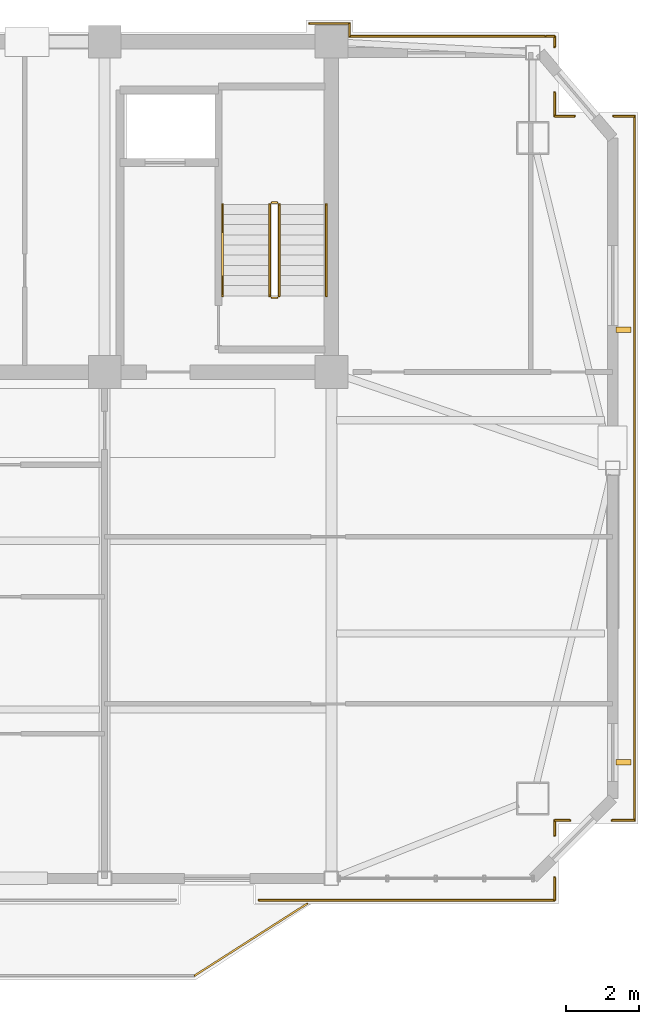
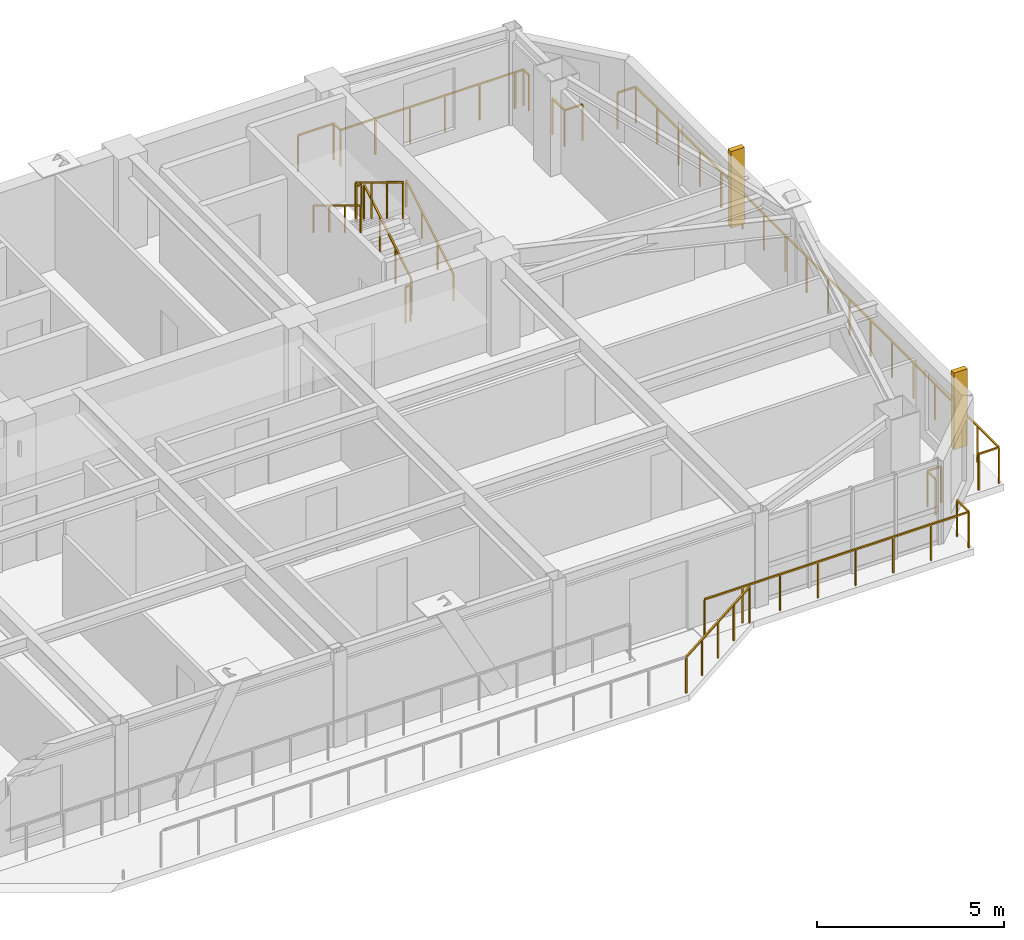
# One storey, part 13 of 13: 21 railings, 2 shading devices.
"""IFC4 building model written with IfcOpenShell, lengths in metres."""

from ifc_helpers import new_model, si_unit, direction, frame, origin, origin_2d, place, context, subcontext, project, spatial, rectangle, extrude, source, transform, mapped, material, type_object, element, save


model = new_model("IFC4")

# Units and contexts
model_context = context("Model", 3, precision=1e-05, world=origin(), true_north=direction((0.0, 1.0)))
body_context = subcontext(model_context, "Body", "Model", "MODEL_VIEW")
ifc_project = project(units=[si_unit("LENGTHUNIT", "METRE"), si_unit("AREAUNIT", "SQUARE_METRE"), si_unit("VOLUMEUNIT", "CUBIC_METRE"), si_unit("PLANEANGLEUNIT", "RADIAN"), si_unit("MASSUNIT", "GRAM", prefix="KILO")], contexts=[model_context])

# Site, building, storey
site_placement = place(None, origin())
site = spatial("IfcSite", under=ifc_project, at=site_placement, CompositionType="ELEMENT")
building_placement = place(site_placement, origin())
building = spatial("IfcBuilding", under=site, at=building_placement, Name="Giltprow Tower", CompositionType="ELEMENT")
storey_placement = place(building_placement, frame((0.0, 0.0, 349.300048828125)))
storey = spatial("IfcBuildingStorey", under=building, at=storey_placement, Name="L91", CompositionType="ELEMENT", Elevation=349.300048828125)

# Railings
ifc_material = material(Name="Anodized bronze", Category="metal")
railing_type_1 = type_object("IfcRailingType", Name="RAIL-BALC-GUARD-1200", PredefinedType="BALUSTRADE", material=ifc_material)
railing_1_placement = place(storey_placement, frame((46.780029296875, 20.820068359375, 0.0)))
element("IfcRailing", 1, at=railing_1_placement, inside=storey, type_object=railing_type_1, Name="L91 Waterfront Balcony Balustrade Seg 3", PredefinedType="BALUSTRADE", context=body_context, shape_type="SweptSolid", body=[
    extrude(rectangle(XDim=0.048095703125, YDim=0.048095703125, at=origin_2d()), frame((0.0, 0.0, 1.17578125), z_axis=(0.842755646126, 0.538296313309, 0.0), x_axis=(-0.538296313309, 0.842755646126, 0.0)), (0.0, 0.0, 1.0), 3.67822265625),
    extrude(rectangle(XDim=0.0419921875, YDim=0.0419921875, at=origin_2d()), origin(), (0.0, 0.0, 1.0), 1.15185546875),
    extrude(rectangle(XDim=0.0419921875, YDim=0.0419921875, at=origin_2d()), frame((0.77490234375, 0.4951171875, 0.0)), (0.0, 0.0, 1.0), 1.15185546875),
    extrude(rectangle(XDim=0.0419921875, YDim=0.0419921875, at=origin_2d()), frame((1.5498046875, 0.989990234375, 0.0)), (0.0, 0.0, 1.0), 1.15185546875),
    extrude(rectangle(XDim=0.0419921875, YDim=0.0419921875, at=origin_2d()), frame((2.324951171875, 1.48486328125, 0.0)), (0.0, 0.0, 1.0), 1.15185546875),
    extrude(rectangle(XDim=0.0419921875, YDim=0.0419921875, at=origin_2d()), frame((3.099853515625, 1.97998046875, 0.0)), (0.0, 0.0, 1.0), 1.15185546875),
])
railing_2_placement = place(storey_placement, frame((58.89990234375, 44.5, 0.0)))
element("IfcRailing", 2, at=railing_2_placement, inside=storey, type_object=railing_type_1, Name="L91 Corner Apron Edge Balustrade 1", PredefinedType="BALUSTRADE", context=body_context, shape_type="SweptSolid", body=[
    extrude(rectangle(XDim=0.048095703125, YDim=0.048095703125, at=origin_2d()), frame((0.0, 0.0, 1.17578125), z_axis=(0.0, -1.0, 0.0), x_axis=(1.0, 0.0, 0.0)), (0.0, 0.0, 1.0), 19.39990234375),
    extrude(rectangle(XDim=0.0419921875, YDim=0.0419921875, at=origin_2d()), origin(), (0.0, 0.0, 1.0), 1.15185546875),
    extrude(rectangle(XDim=0.0419921875, YDim=0.0419921875, at=origin_2d()), frame((0.0, -1.14111328125, 0.0)), (0.0, 0.0, 1.0), 1.15185546875),
    extrude(rectangle(XDim=0.0419921875, YDim=0.0419921875, at=origin_2d()), frame((0.0, -2.2822265625, 0.0)), (0.0, 0.0, 1.0), 1.15185546875),
    extrude(rectangle(XDim=0.0419921875, YDim=0.0419921875, at=origin_2d()), frame((0.0, -3.423583984375, 0.0)), (0.0, 0.0, 1.0), 1.15185546875),
    extrude(rectangle(XDim=0.0419921875, YDim=0.0419921875, at=origin_2d()), frame((0.0, -4.564697265625, 0.0)), (0.0, 0.0, 1.0), 1.15185546875),
    extrude(rectangle(XDim=0.0419921875, YDim=0.0419921875, at=origin_2d()), frame((0.0, -5.705810546875, 0.0)), (0.0, 0.0, 1.0), 1.15185546875),
    extrude(rectangle(XDim=0.0419921875, YDim=0.0419921875, at=origin_2d()), frame((0.0, -6.846923828125, 0.0)), (0.0, 0.0, 1.0), 1.15185546875),
    extrude(rectangle(XDim=0.0419921875, YDim=0.0419921875, at=origin_2d()), frame((0.0, -7.98828125, 0.0)), (0.0, 0.0, 1.0), 1.15185546875),
    extrude(rectangle(XDim=0.0419921875, YDim=0.0419921875, at=origin_2d()), frame((0.0, -9.12939453125, 0.0)), (0.0, 0.0, 1.0), 1.15185546875),
    extrude(rectangle(XDim=0.0419921875, YDim=0.0419921875, at=origin_2d()), frame((0.0, -10.2705078125, 0.0)), (0.0, 0.0, 1.0), 1.15185546875),
    extrude(rectangle(XDim=0.0419921875, YDim=0.0419921875, at=origin_2d()), frame((0.0, -11.41162109375, 0.0)), (0.0, 0.0, 1.0), 1.15185546875),
    extrude(rectangle(XDim=0.0419921875, YDim=0.0419921875, at=origin_2d()), frame((0.0, -12.552978515625, 0.0)), (0.0, 0.0, 1.0), 1.15185546875),
    extrude(rectangle(XDim=0.0419921875, YDim=0.0419921875, at=origin_2d()), frame((0.0, -13.694091796875, 0.0)), (0.0, 0.0, 1.0), 1.15185546875),
    extrude(rectangle(XDim=0.0419921875, YDim=0.0419921875, at=origin_2d()), frame((0.0, -14.835205078125, 0.0)), (0.0, 0.0, 1.0), 1.15185546875),
    extrude(rectangle(XDim=0.0419921875, YDim=0.0419921875, at=origin_2d()), frame((0.0, -15.976318359375, 0.0)), (0.0, 0.0, 1.0), 1.15185546875),
    extrude(rectangle(XDim=0.0419921875, YDim=0.0419921875, at=origin_2d()), frame((0.0, -17.11767578125, 0.0)), (0.0, 0.0, 1.0), 1.15185546875),
    extrude(rectangle(XDim=0.0419921875, YDim=0.0419921875, at=origin_2d()), frame((0.0, -18.2587890625, 0.0)), (0.0, 0.0, 1.0), 1.15185546875),
    extrude(rectangle(XDim=0.0419921875, YDim=0.0419921875, at=origin_2d()), frame((0.0, -19.39990234375, 0.0)), (0.0, 0.0, 1.0), 1.15185546875),
])
railing_3_placement = place(storey_placement, frame((58.89990234375, 25.10009765625, 0.0)))
element("IfcRailing", 3, at=railing_3_placement, inside=storey, type_object=railing_type_1, Name="L91 Corner Apron Edge Balustrade 2", PredefinedType="BALUSTRADE", context=body_context, shape_type="SweptSolid", body=[
    extrude(rectangle(XDim=0.048095703125, YDim=0.048095703125, at=origin_2d()), frame((0.0, 0.0, 1.17578125), z_axis=(-1.0, 0.0, 0.0), x_axis=(0.0, -1.0, 0.0)), (0.0, 0.0, 1.0), 0.619873046875),
    extrude(rectangle(XDim=0.0419921875, YDim=0.0419921875, at=origin_2d()), origin(), (0.0, 0.0, 1.0), 1.15185546875),
    extrude(rectangle(XDim=0.0419921875, YDim=0.0419921875, at=origin_2d()), frame((-0.619873046875, 0.0, 0.0)), (0.0, 0.0, 1.0), 1.15185546875),
])
railing_4_placement = place(storey_placement, frame((57.1201171875, 25.10009765625, 0.0)))
element("IfcRailing", 4, at=railing_4_placement, inside=storey, type_object=railing_type_1, Name="L91 Corner Apron Edge Balustrade 3", PredefinedType="BALUSTRADE", context=body_context, shape_type="SweptSolid", body=[
    extrude(rectangle(XDim=0.048095703125, YDim=0.048095703125, at=origin_2d()), frame((0.0, 0.0, 1.17578125), z_axis=(-1.0, 0.0, 0.0), x_axis=(0.0, -1.0, 0.0)), (0.0, 0.0, 1.0), 0.420166015625),
    extrude(rectangle(XDim=0.0419921875, YDim=0.0419921875, at=origin_2d()), origin(), (0.0, 0.0, 1.0), 1.15185546875),
    extrude(rectangle(XDim=0.0419921875, YDim=0.0419921875, at=origin_2d()), frame((-0.420166015625, 0.0, 0.0)), (0.0, 0.0, 1.0), 1.15185546875),
])
railing_5_placement = place(storey_placement, frame((56.699951171875, 25.10009765625, 0.0)))
element("IfcRailing", 5, at=railing_5_placement, inside=storey, type_object=railing_type_1, Name="L91 Corner Apron Edge Balustrade 4", PredefinedType="BALUSTRADE", context=body_context, shape_type="SweptSolid", body=[
    extrude(rectangle(XDim=0.048095703125, YDim=0.048095703125, at=origin_2d()), frame((0.0, 0.0, 1.17578125), z_axis=(0.0, -1.0, 0.0), x_axis=(1.0, 0.0, 0.0)), (0.0, 0.0, 1.0), 0.420166015625),
    extrude(rectangle(XDim=0.0419921875, YDim=0.0419921875, at=origin_2d()), origin(), (0.0, 0.0, 1.0), 1.15185546875),
    extrude(rectangle(XDim=0.0419921875, YDim=0.0419921875, at=origin_2d()), frame((0.0, -0.420166015625, 0.0)), (0.0, 0.0, 1.0), 1.15185546875),
])
railing_6_placement = place(storey_placement, frame((56.699951171875, 23.52001953125, 0.0)))
element("IfcRailing", 6, at=railing_6_placement, inside=storey, type_object=railing_type_1, Name="L91 Corner Apron Edge Balustrade 5", PredefinedType="BALUSTRADE", context=body_context, shape_type="SweptSolid", body=[
    extrude(rectangle(XDim=0.048095703125, YDim=0.048095703125, at=origin_2d()), frame((0.0, 0.0, 1.17578125), z_axis=(0.0, -1.0, 0.0), x_axis=(1.0, 0.0, 0.0)), (0.0, 0.0, 1.0), 0.6201171875),
    extrude(rectangle(XDim=0.0419921875, YDim=0.0419921875, at=origin_2d()), origin(), (0.0, 0.0, 1.0), 1.15185546875),
    extrude(rectangle(XDim=0.0419921875, YDim=0.0419921875, at=origin_2d()), frame((0.0, -0.6201171875, 0.0)), (0.0, 0.0, 1.0), 1.15185546875),
])
railing_7_placement = place(storey_placement, frame((56.699951171875, 22.89990234375, 0.0)))
element("IfcRailing", 7, at=railing_7_placement, inside=storey, type_object=railing_type_1, Name="L91 Corner Apron Edge Balustrade 6", PredefinedType="BALUSTRADE", context=body_context, shape_type="SweptSolid", body=[
    extrude(rectangle(XDim=0.048095703125, YDim=0.048095703125, at=origin_2d()), frame((0.0, 0.0, 1.17578125), z_axis=(-1.0, 0.0, 0.0), x_axis=(0.0, -1.0, 0.0)), (0.0, 0.0, 1.0), 8.14990234375),
    extrude(rectangle(XDim=0.0419921875, YDim=0.0419921875, at=origin_2d()), origin(), (0.0, 0.0, 1.0), 1.15185546875),
    extrude(rectangle(XDim=0.0419921875, YDim=0.0419921875, at=origin_2d()), frame((-1.164306640625, 0.0, 0.0)), (0.0, 0.0, 1.0), 1.15185546875),
    extrude(rectangle(XDim=0.0419921875, YDim=0.0419921875, at=origin_2d()), frame((-2.32861328125, 0.0, 0.0)), (0.0, 0.0, 1.0), 1.15185546875),
    extrude(rectangle(XDim=0.0419921875, YDim=0.0419921875, at=origin_2d()), frame((-3.492919921875, 0.0, 0.0)), (0.0, 0.0, 1.0), 1.15185546875),
    extrude(rectangle(XDim=0.0419921875, YDim=0.0419921875, at=origin_2d()), frame((-4.656982421875, 0.0, 0.0)), (0.0, 0.0, 1.0), 1.15185546875),
    extrude(rectangle(XDim=0.0419921875, YDim=0.0419921875, at=origin_2d()), frame((-5.8212890625, 0.0, 0.0)), (0.0, 0.0, 1.0), 1.15185546875),
    extrude(rectangle(XDim=0.0419921875, YDim=0.0419921875, at=origin_2d()), frame((-6.985595703125, 0.0, 0.0)), (0.0, 0.0, 1.0), 1.15185546875),
    extrude(rectangle(XDim=0.0419921875, YDim=0.0419921875, at=origin_2d()), frame((-8.14990234375, 0.0, 0.0)), (0.0, 0.0, 1.0), 1.15185546875),
])
railing_8_placement = place(storey_placement, frame((49.949951171875, 47.050048828125, 0.0)))
element("IfcRailing", 8, at=railing_8_placement, inside=storey, type_object=railing_type_1, Name="L91 Corner Apron Edge Balustrade 22", PredefinedType="BALUSTRADE", context=body_context, shape_type="SweptSolid", body=[
    extrude(rectangle(XDim=0.048095703125, YDim=0.048095703125, at=origin_2d()), frame((0.0, 0.0, 1.17578125), z_axis=(1.0, 0.0, 0.0), x_axis=(0.0, 1.0, 0.0)), (0.0, 0.0, 1.0), 1.10009765625),
    extrude(rectangle(XDim=0.0419921875, YDim=0.0419921875, at=origin_2d()), origin(), (0.0, 0.0, 1.0), 1.15185546875),
    extrude(rectangle(XDim=0.0419921875, YDim=0.0419921875, at=origin_2d()), frame((1.10009765625, 0.0, 0.0)), (0.0, 0.0, 1.0), 1.15185546875),
])
railing_9_placement = place(storey_placement, frame((51.050048828125, 47.050048828125, 0.0)))
element("IfcRailing", 9, at=railing_9_placement, inside=storey, type_object=railing_type_1, Name="L91 Corner Apron Edge Balustrade 23", PredefinedType="BALUSTRADE", context=body_context, shape_type="SweptSolid", body=[
    extrude(rectangle(XDim=0.048095703125, YDim=0.048095703125, at=origin_2d()), frame((0.0, 0.0, 1.17578125), z_axis=(0.0, -1.0, 0.0), x_axis=(1.0, 0.0, 0.0)), (0.0, 0.0, 1.0), 0.35009765625),
    extrude(rectangle(XDim=0.0419921875, YDim=0.0419921875, at=origin_2d()), origin(), (0.0, 0.0, 1.0), 1.15185546875),
    extrude(rectangle(XDim=0.0419921875, YDim=0.0419921875, at=origin_2d()), frame((0.0, -0.35009765625, 0.0)), (0.0, 0.0, 1.0), 1.15185546875),
])
railing_10_placement = place(storey_placement, frame((51.050048828125, 46.699951171875, 0.0)))
element("IfcRailing", 10, at=railing_10_placement, inside=storey, type_object=railing_type_1, Name="L91 Corner Apron Edge Balustrade 24", PredefinedType="BALUSTRADE", context=body_context, shape_type="SweptSolid", body=[
    extrude(rectangle(XDim=0.048095703125, YDim=0.048095703125, at=origin_2d()), frame((0.0, 0.0, 1.17578125), z_axis=(1.0, 0.0, 0.0), x_axis=(0.0, 1.0, 0.0)), (0.0, 0.0, 1.0), 5.3779296875),
    extrude(rectangle(XDim=0.0419921875, YDim=0.0419921875, at=origin_2d()), origin(), (0.0, 0.0, 1.0), 1.15185546875),
    extrude(rectangle(XDim=0.0419921875, YDim=0.0419921875, at=origin_2d()), frame((1.07568359375, 0.0, 0.0)), (0.0, 0.0, 1.0), 1.15185546875),
    extrude(rectangle(XDim=0.0419921875, YDim=0.0419921875, at=origin_2d()), frame((2.151123046875, 0.0, 0.0)), (0.0, 0.0, 1.0), 1.15185546875),
    extrude(rectangle(XDim=0.0419921875, YDim=0.0419921875, at=origin_2d()), frame((3.226806640625, 0.0, 0.0)), (0.0, 0.0, 1.0), 1.15185546875),
    extrude(rectangle(XDim=0.0419921875, YDim=0.0419921875, at=origin_2d()), frame((4.30224609375, 0.0, 0.0)), (0.0, 0.0, 1.0), 1.15185546875),
    extrude(rectangle(XDim=0.0419921875, YDim=0.0419921875, at=origin_2d()), frame((5.3779296875, 0.0, 0.0)), (0.0, 0.0, 1.0), 1.15185546875),
])
railing_11_placement = place(storey_placement, frame((56.455078125, 46.699951171875, 0.0)))
element("IfcRailing", 11, at=railing_11_placement, inside=storey, type_object=railing_type_1, Name="L91 Corner Apron Edge Balustrade 25", PredefinedType="BALUSTRADE", context=body_context, shape_type="SweptSolid", body=[
    extrude(rectangle(XDim=0.048095703125, YDim=0.048095703125, at=origin_2d()), frame((0.0, 0.0, 1.17578125), z_axis=(1.0, 0.0, 0.0), x_axis=(0.0, 1.0, 0.0)), (0.0, 0.0, 1.0), 0.244873046875),
    extrude(rectangle(XDim=0.0419921875, YDim=0.0419921875, at=origin_2d()), origin(), (0.0, 0.0, 1.0), 1.15185546875),
    extrude(rectangle(XDim=0.0419921875, YDim=0.0419921875, at=origin_2d()), frame((0.244873046875, 0.0, 0.0)), (0.0, 0.0, 1.0), 1.15185546875),
])
railing_12_placement = place(storey_placement, frame((56.699951171875, 46.699951171875, 0.0)))
element("IfcRailing", 12, at=railing_12_placement, inside=storey, type_object=railing_type_1, Name="L91 Corner Apron Edge Balustrade 26", PredefinedType="BALUSTRADE", context=body_context, shape_type="SweptSolid", body=[
    extrude(rectangle(XDim=0.048095703125, YDim=0.048095703125, at=origin_2d()), frame((0.0, 0.0, 1.17578125), z_axis=(0.0, -1.0, 0.0), x_axis=(1.0, 0.0, 0.0)), (0.0, 0.0, 1.0), 0.286865234375),
    extrude(rectangle(XDim=0.0419921875, YDim=0.0419921875, at=origin_2d()), origin(), (0.0, 0.0, 1.0), 1.15185546875),
    extrude(rectangle(XDim=0.0419921875, YDim=0.0419921875, at=origin_2d()), frame((0.0, -0.286865234375, 0.0)), (0.0, 0.0, 1.0), 1.15185546875),
])
railing_13_placement = place(storey_placement, frame((56.699951171875, 45.14697265625, 0.0)))
element("IfcRailing", 13, at=railing_13_placement, inside=storey, type_object=railing_type_1, Name="L91 Corner Apron Edge Balustrade 27", PredefinedType="BALUSTRADE", context=body_context, shape_type="SweptSolid", body=[
    extrude(rectangle(XDim=0.048095703125, YDim=0.048095703125, at=origin_2d()), frame((0.0, 0.0, 1.17578125), z_axis=(0.0, -1.0, 0.0), x_axis=(1.0, 0.0, 0.0)), (0.0, 0.0, 1.0), 0.64697265625),
    extrude(rectangle(XDim=0.0419921875, YDim=0.0419921875, at=origin_2d()), origin(), (0.0, 0.0, 1.0), 1.15185546875),
    extrude(rectangle(XDim=0.0419921875, YDim=0.0419921875, at=origin_2d()), frame((0.0, -0.64697265625, 0.0)), (0.0, 0.0, 1.0), 1.15185546875),
])
railing_14_placement = place(storey_placement, frame((56.699951171875, 44.5, 0.0)))
element("IfcRailing", 14, at=railing_14_placement, inside=storey, type_object=railing_type_1, Name="L91 Corner Apron Edge Balustrade 28", PredefinedType="BALUSTRADE", context=body_context, shape_type="SweptSolid", body=[
    extrude(rectangle(XDim=0.048095703125, YDim=0.048095703125, at=origin_2d()), frame((0.0, 0.0, 1.17578125), z_axis=(1.0, 0.0, 0.0), x_axis=(0.0, 1.0, 0.0)), (0.0, 0.0, 1.0), 0.551025390625),
    extrude(rectangle(XDim=0.0419921875, YDim=0.0419921875, at=origin_2d()), origin(), (0.0, 0.0, 1.0), 1.15185546875),
    extrude(rectangle(XDim=0.0419921875, YDim=0.0419921875, at=origin_2d()), frame((0.551025390625, 0.0, 0.0)), (0.0, 0.0, 1.0), 1.15185546875),
])
railing_15_placement = place(storey_placement, frame((58.327880859375, 44.5, 0.0)))
element("IfcRailing", 15, at=railing_15_placement, inside=storey, type_object=railing_type_1, Name="L91 Corner Apron Edge Balustrade 29", PredefinedType="BALUSTRADE", context=body_context, shape_type="SweptSolid", body=[
    extrude(rectangle(XDim=0.048095703125, YDim=0.048095703125, at=origin_2d()), frame((0.0, 0.0, 1.17578125), z_axis=(1.0, 0.0, 0.0), x_axis=(0.0, 1.0, 0.0)), (0.0, 0.0, 1.0), 0.572021484375),
    extrude(rectangle(XDim=0.0419921875, YDim=0.0419921875, at=origin_2d()), origin(), (0.0, 0.0, 1.0), 1.15185546875),
    extrude(rectangle(XDim=0.0419921875, YDim=0.0419921875, at=origin_2d()), frame((0.572021484375, 0.0, 0.0)), (0.0, 0.0, 1.0), 1.15185546875),
])
railing_type_2 = type_object("IfcRailingType", Name="RAIL-STAIR-GUARD-1200", PredefinedType="GUARDRAIL", material=ifc_material)
railing_16_placement = place(storey_placement, frame((49.110107421875, 39.550048828125, 0.169921875)))
element("IfcRailing", 16, at=railing_16_placement, inside=storey, type_object=railing_type_2, Name="L91 ST-3 stair guard 1", PredefinedType="GUARDRAIL", context=body_context, shape_type="SweptSolid", body=[
    extrude(rectangle(XDim=0.048095703125, YDim=0.048095703125, at=origin_2d()), frame((0.0, 0.0, 1.17578125), z_axis=(0.0, 0.85478489116, 0.518982456201), x_axis=(-1.0, 0.0, 0.0)), (0.0, 0.0, 1.0), 2.9482421875),
    extrude(rectangle(XDim=0.0419921875, YDim=0.0419921875, at=origin_2d()), origin(), (0.0, 0.0, 1.0), 1.15185546875),
    extrude(rectangle(XDim=0.0419921875, YDim=0.0419921875, at=origin_2d()), frame((0.0, 0.840087890625, 0.510009765625)), (0.0, 0.0, 1.0), 1.15185546875),
    extrude(rectangle(XDim=0.0419921875, YDim=0.0419921875, at=origin_2d()), frame((0.0, 1.679931640625, 1.02001953125)), (0.0, 0.0, 1.0), 1.15185546875),
    extrude(rectangle(XDim=0.0419921875, YDim=0.0419921875, at=origin_2d()), frame((0.0, 2.52001953125, 1.530029296875)), (0.0, 0.0, 1.0), 1.15185546875),
])
railing_17_placement = place(storey_placement, frame((49.06005859375, 42.1201171875, 1.699951171875)))
element("IfcRailing", 17, at=railing_17_placement, inside=storey, type_object=railing_type_2, Name="L91 ST-3 stair guard 2", PredefinedType="GUARDRAIL", context=body_context, shape_type="SweptSolid", body=[
    extrude(rectangle(XDim=0.048095703125, YDim=0.048095703125, at=origin_2d()), frame((0.0, 0.0, 1.17578125), z_axis=(-1.0, 0.0, 0.0), x_axis=(0.0, -1.0, 0.0)), (0.0, 0.0, 1.0), 0.16015625),
    extrude(rectangle(XDim=0.0419921875, YDim=0.0419921875, at=origin_2d()), origin(), (0.0, 0.0, 1.0), 1.15185546875),
    extrude(rectangle(XDim=0.0419921875, YDim=0.0419921875, at=origin_2d()), frame((-0.16015625, 0.0, 0.0)), (0.0, 0.0, 1.0), 1.15185546875),
])
railing_18_placement = place(storey_placement, frame((48.85009765625, 42.070068359375, 1.869873046875)))
element("IfcRailing", 18, at=railing_18_placement, inside=storey, type_object=railing_type_2, Name="L91 ST-3 stair guard 3", PredefinedType="GUARDRAIL", context=body_context, shape_type="SweptSolid", body=[
    extrude(rectangle(XDim=0.048095703125, YDim=0.048095703125, at=origin_2d()), frame((0.0, 0.0, 1.17578125), z_axis=(0.0, -0.85478489116, 0.518982456201), x_axis=(1.0, 0.0, 0.0)), (0.0, 0.0, 1.0), 2.9482421875),
    extrude(rectangle(XDim=0.0419921875, YDim=0.0419921875, at=origin_2d()), origin(), (0.0, 0.0, 1.0), 1.15185546875),
    extrude(rectangle(XDim=0.0419921875, YDim=0.0419921875, at=origin_2d()), frame((0.0, -0.840087890625, 0.510009765625)), (0.0, 0.0, 1.0), 1.15185546875),
    extrude(rectangle(XDim=0.0419921875, YDim=0.0419921875, at=origin_2d()), frame((0.0, -1.679931640625, 1.02001953125)), (0.0, 0.0, 1.0), 1.15185546875),
    extrude(rectangle(XDim=0.0419921875, YDim=0.0419921875, at=origin_2d()), frame((0.0, -2.52001953125, 1.530029296875)), (0.0, 0.0, 1.0), 1.15185546875),
])
railing_19_placement = place(storey_placement, frame((49.06005859375, 39.5, 0.0)))
element("IfcRailing", 19, at=railing_19_placement, inside=storey, type_object=railing_type_2, Name="L91 ST-3 stair guard 4", PredefinedType="GUARDRAIL", context=body_context, shape_type="SweptSolid", body=[
    extrude(rectangle(XDim=0.048095703125, YDim=0.048095703125, at=origin_2d()), frame((0.0, 0.0, 1.17578125), z_axis=(-1.0, 0.0, 0.0), x_axis=(0.0, -1.0, 0.0)), (0.0, 0.0, 1.0), 0.16015625),
    extrude(rectangle(XDim=0.0419921875, YDim=0.0419921875, at=origin_2d()), origin(), (0.0, 0.0, 1.0), 1.15185546875),
    extrude(rectangle(XDim=0.0419921875, YDim=0.0419921875, at=origin_2d()), frame((-0.16015625, 0.0, 0.0)), (0.0, 0.0, 1.0), 1.15185546875),
])
railing_type_3 = type_object("IfcRailingType", Name="RAIL-STAIR-HAND-900", PredefinedType="HANDRAIL", material=ifc_material)
railing_20_placement = place(storey_placement, frame((50.409912109375, 39.550048828125, 0.169921875)))
element("IfcRailing", 20, at=railing_20_placement, inside=storey, type_object=railing_type_3, Name="L91 ST-3 stair handrail 1", PredefinedType="HANDRAIL", context=body_context, shape_type="SweptSolid", body=[
    extrude(rectangle(XDim=0.048095703125, YDim=0.048095703125, at=origin_2d()), frame((0.0, 0.0, 0.8759765625), z_axis=(0.0, 0.85478489116, 0.518982456201), x_axis=(-1.0, 0.0, 0.0)), (0.0, 0.0, 1.0), 2.9482421875),
    extrude(rectangle(XDim=0.0419921875, YDim=0.0419921875, at=origin_2d()), origin(), (0.0, 0.0, 1.0), 0.851806640625),
    extrude(rectangle(XDim=0.0419921875, YDim=0.0419921875, at=origin_2d()), frame((0.0, 0.840087890625, 0.510009765625)), (0.0, 0.0, 1.0), 0.851806640625),
    extrude(rectangle(XDim=0.0419921875, YDim=0.0419921875, at=origin_2d()), frame((0.0, 1.679931640625, 1.02001953125)), (0.0, 0.0, 1.0), 0.851806640625),
    extrude(rectangle(XDim=0.0419921875, YDim=0.0419921875, at=origin_2d()), frame((0.0, 2.52001953125, 1.530029296875)), (0.0, 0.0, 1.0), 0.851806640625),
])
railing_21_placement = place(storey_placement, frame((47.550048828125, 42.070068359375, 1.869873046875)))
element("IfcRailing", 21, at=railing_21_placement, inside=storey, type_object=railing_type_3, Name="L91 ST-3 stair handrail 2", PredefinedType="HANDRAIL", context=body_context, shape_type="SweptSolid", body=[
    extrude(rectangle(XDim=0.048095703125, YDim=0.048095703125, at=origin_2d()), frame((0.0, 0.0, 0.8759765625), z_axis=(0.0, -0.85478489116, 0.518982456201), x_axis=(1.0, 0.0, 0.0)), (0.0, 0.0, 1.0), 2.9482421875),
    extrude(rectangle(XDim=0.0419921875, YDim=0.0419921875, at=origin_2d()), origin(), (0.0, 0.0, 1.0), 0.851806640625),
    extrude(rectangle(XDim=0.0419921875, YDim=0.0419921875, at=origin_2d()), frame((0.0, -0.840087890625, 0.510009765625)), (0.0, 0.0, 1.0), 0.851806640625),
    extrude(rectangle(XDim=0.0419921875, YDim=0.0419921875, at=origin_2d()), frame((0.0, -1.679931640625, 1.02001953125)), (0.0, 0.0, 1.0), 0.851806640625),
    extrude(rectangle(XDim=0.0419921875, YDim=0.0419921875, at=origin_2d()), frame((0.0, -2.52001953125, 1.530029296875)), (0.0, 0.0, 1.0), 0.851806640625),
])

# Shading devices
shading_device_type = type_object("IfcShadingDeviceType", Name="SHD-FIN-420", PredefinedType="USERDEFINED", material=ifc_material)
shared_shape = source(origin(), body_context, "Body", "SweptSolid", [
    extrude(rectangle(XDim=0.419921875, YDim=0.159912109375, at=origin_2d()), origin(), (0.0, 0.0, 1.0), 2.5),
])
for number, where, z_axis, x_axis, name in (
    (22, (58.60009765625, 26.697021484375, 0.349853515625), (0.0, 0.0, 1.0), (1.0, 0.0, 0.0), "L91 E Bronze Vertical Fin 1-1"),
    (23, (58.60009765625, 38.614013671875, 0.349853515625), (0.0, 0.0, 1.0), (1.0, 0.0, 0.0), "L91 E Bronze Vertical Fin 2-1"),
):
    element("IfcShadingDevice", number, at=place(storey_placement, frame(where, z_axis=z_axis, x_axis=x_axis)), inside=storey, type_object=shading_device_type, Name=name, ObjectType="FIN", PredefinedType="USERDEFINED", context=body_context, shape_type="MappedRepresentation", body=[
        mapped(shared_shape, transform((0.0, 0.0, 0.0), x_axis=(1.0, 0.0, 0.0), y_axis=(0.0, 1.0, 0.0), z_axis=(0.0, 0.0, 1.0), scale=1.0)),
    ])

save(model, "model.ifc")
